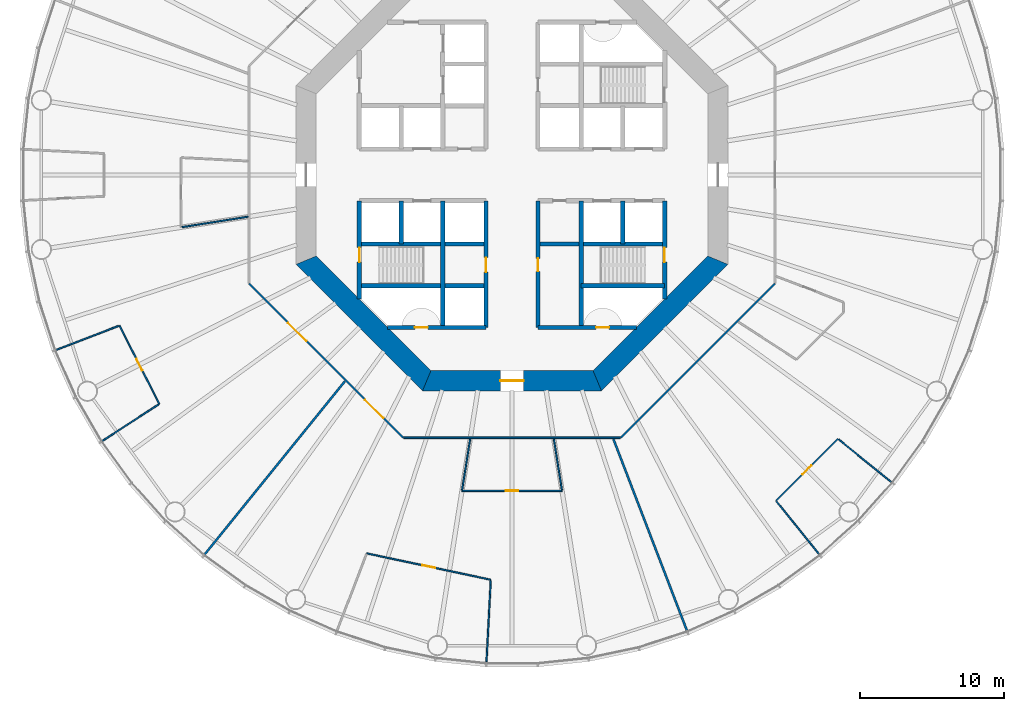
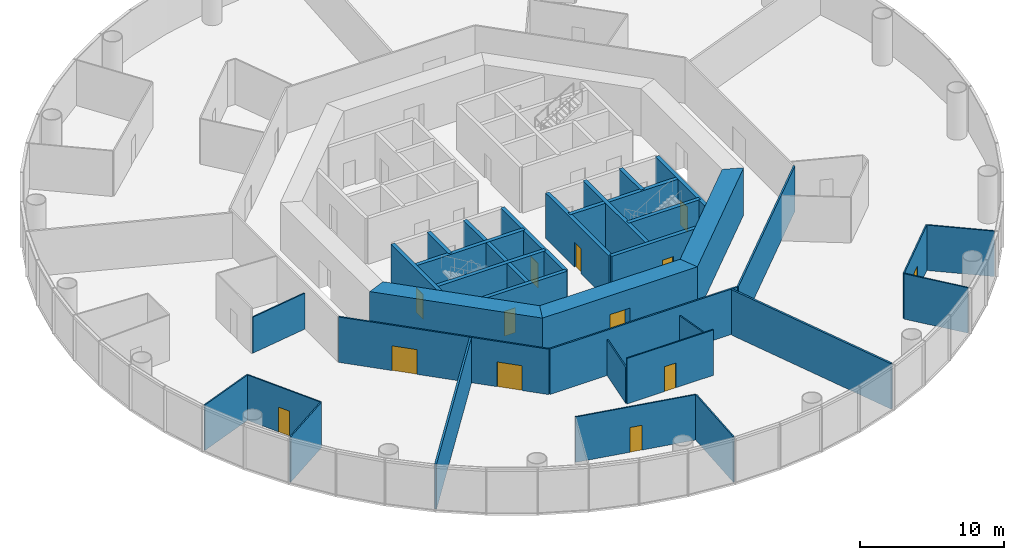
# One storey, part 3 of 13: 34 walls, 13 doors, 13 openings.
"""IFC4 building model written with IfcOpenShell, lengths in metres."""

from ifc_helpers import new_model, si_unit, direction, frame, frame_2d, origin, place, context, subcontext, project, spatial, polyline, rectangle, outline, extrude, material, layer, layer_set, type_object, element, fill, save


model = new_model("IFC4")

# Units and contexts
model_context = context("Model", 3, precision=1e-05, world=origin(), true_north=direction((0.0, 1.0)))
body_context = subcontext(model_context, "Body", "Model", "MODEL_VIEW")
ifc_project = project(units=[si_unit("LENGTHUNIT", "METRE"), si_unit("AREAUNIT", "SQUARE_METRE"), si_unit("VOLUMEUNIT", "CUBIC_METRE"), si_unit("PLANEANGLEUNIT", "RADIAN"), si_unit("MASSUNIT", "GRAM", prefix="KILO")], contexts=[model_context])

# Site, building, storey
site_placement = place(None, origin())
site = spatial("IfcSite", under=ifc_project, at=site_placement, CompositionType="ELEMENT")
building_placement = place(site_placement, origin())
building = spatial("IfcBuilding", under=site, at=building_placement, Name="Entoto Ring Tower", CompositionType="ELEMENT")
storey_placement = place(building_placement, frame((0.0, 0.0, 62.0)))
storey = spatial("IfcBuildingStorey", under=building, at=storey_placement, Name="L13", CompositionType="ELEMENT", Elevation=62.0)

# Wall, opening, door
ifc_material_1 = material(Name="Concrete C40/50", Category="concrete")
ifc_layer_1 = layer(ifc_material_1, 0.300048828125)
ifc_layer_set_1 = layer_set([ifc_layer_1], Name="Concrete C40/50")
wall_type_1 = type_object("IfcWallType", Name="Core enclosure wall 300 mm reinforced concrete", PredefinedType="SOLIDWALL", material=ifc_layer_set_1)
wall_1_placement = place(storey_placement, frame((100.60009765625, 71.36669921875, 0.0), z_axis=(0.0, 0.0, 1.0), x_axis=(0.0, 1.0, 0.0)))
wall_1 = element("IfcWall", 1, at=wall_1_placement, inside=storey, type_object=wall_type_1, Name="wall-L13-001", PredefinedType="SOLIDWALL", context=body_context, shape_type="SweptSolid", body=[
    extrude(rectangle(XDim=6.833251953125, YDim=0.300048828125, at=frame_2d((3.41650390625, 0.0))), origin(), (0.0, 0.0, 1.0), 3.85009765625),
])
opening_1_placement = place(wall_1_placement, frame((2.583251953125, 0.0, 0.0)))
opening_1 = element("IfcOpeningElement", 2, at=opening_1_placement, cuts=wall_1, Name="Opening K-59", PredefinedType="OPENING", context=body_context, shape_type="SweptSolid", body=[
    extrude(rectangle(XDim=1.0, YDim=2.10009765625, at=frame_2d((0.5, 1.050048828125))), frame((0.0, 0.16015625, 0.0), z_axis=(0.0, -1.0, 0.0), x_axis=(1.0, 0.0, 0.0)), (0.0, 0.0, 1.0), 0.320068359375),
])
ifc_material_2 = material(Name="Steel door leaf, fire rated", Category="steel")
ifc_layer_2 = layer(ifc_material_2, 0.050048828125)
ifc_layer_set_2 = layer_set([ifc_layer_2], Name="Steel door leaf, fire rated")
door_type_1 = type_object("IfcDoorType", Name="Fire door FD60 1000 x 2100 single leaf", OperationType="NOTDEFINED", PredefinedType="DOOR", material=ifc_layer_set_2)
door_1_placement = place(opening_1_placement, origin())
door_1 = element("IfcDoor", 3, at=door_1_placement, inside=storey, type_object=door_type_1, Name="Door K-59", OperationType="SINGLE_SWING_RIGHT", OverallHeight=2.10009765625, OverallWidth=1.0, PredefinedType="DOOR", context=body_context, shape_type="SweptSolid", body=[
    extrude(rectangle(XDim=1.0, YDim=2.10009765625, at=frame_2d((0.5, 1.050048828125))), frame((0.0, 0.02490234375, 0.0), z_axis=(0.0, -1.0, 0.0), x_axis=(1.0, 0.0, 0.0)), (0.0, 0.0, 1.0), 0.050048828125),
])
fill(opening_1, door_1)

# Walls
wall_2_placement = place(storey_placement, frame((97.699951171875, 75.199951171875, 0.0), z_axis=(0.0, 0.0, 1.0), x_axis=(0.0, 1.0, 0.0)))
element("IfcWall", 4, at=wall_2_placement, inside=storey, type_object=wall_type_1, Name="wall-L13-003", PredefinedType="SOLIDWALL", context=body_context, shape_type="SweptSolid", body=[
    extrude(rectangle(XDim=3.0, YDim=0.300048828125, at=frame_2d((1.5, 0.0))), origin(), (0.0, 0.0, 1.0), 3.85009765625),
])
wall_3_placement = place(storey_placement, frame((94.800048828125, 69.39990234375, 0.0), z_axis=(0.0, 0.0, 1.0), x_axis=(0.0, 1.0, 0.0)))
element("IfcWall", 5, at=wall_3_placement, inside=storey, type_object=wall_type_1, Name="wall-L13-005", PredefinedType="SOLIDWALL", context=body_context, shape_type="SweptSolid", body=[
    extrude(rectangle(XDim=8.800048828125, YDim=0.300048828125, at=frame_2d((4.39990234375, 0.0))), origin(), (0.0, 0.0, 1.0), 3.85009765625),
])

# Wall, opening, door
wall_4_placement = place(storey_placement, frame((91.800048828125, 69.39990234375, 0.0), z_axis=(0.0, 0.0, 1.0), x_axis=(0.0, 1.0, 0.0)))
wall_4 = element("IfcWall", 6, at=wall_4_placement, inside=storey, type_object=wall_type_1, Name="wall-L13-007", PredefinedType="SOLIDWALL", context=body_context, shape_type="SweptSolid", body=[
    extrude(rectangle(XDim=8.800048828125, YDim=0.300048828125, at=frame_2d((4.39990234375, 0.0))), origin(), (0.0, 0.0, 1.0), 3.85009765625),
])
opening_2_placement = place(wall_4_placement, frame((3.89990234375, 0.0, 0.0)))
opening_2 = element("IfcOpeningElement", 7, at=opening_2_placement, cuts=wall_4, Name="Opening K-12", PredefinedType="OPENING", context=body_context, shape_type="SweptSolid", body=[
    extrude(rectangle(XDim=0.89990234375, YDim=2.10009765625, at=frame_2d((0.449951171875, 1.050048828125))), frame((0.0, 0.16015625, 0.0), z_axis=(0.0, -1.0, 0.0), x_axis=(1.0, 0.0, 0.0)), (0.0, 0.0, 1.0), 0.320068359375),
])
ifc_material_3 = material(Name="Steel door leaf, fire rated", Category="steel")
ifc_layer_3 = layer(ifc_material_3, 0.050048828125)
ifc_layer_set_3 = layer_set([ifc_layer_3], Name="Steel door leaf, fire rated")
door_type_2 = type_object("IfcDoorType", Name="Core door 900 x 2100 single leaf", OperationType="NOTDEFINED", PredefinedType="DOOR", material=ifc_layer_set_3)
door_2_placement = place(opening_2_placement, frame((0.89990234375, 0.0, 0.0), z_axis=(0.0, 0.0, 1.0), x_axis=(-1.0, 0.0, 0.0)))
door_2 = element("IfcDoor", 8, at=door_2_placement, inside=storey, type_object=door_type_2, Name="Door K-12", OperationType="SINGLE_SWING_LEFT", OverallHeight=2.10009765625, OverallWidth=0.89990234375, PredefinedType="DOOR", context=body_context, shape_type="SweptSolid", body=[
    extrude(rectangle(XDim=0.89990234375, YDim=2.10009765625, at=frame_2d((0.449951171875, 1.050048828125))), frame((0.0, 0.02490234375, 0.0), z_axis=(0.0, -1.0, 0.0), x_axis=(1.0, 0.0, 0.0)), (0.0, 0.0, 1.0), 0.050048828125),
])
fill(opening_2, door_2)

wall_5_placement = place(storey_placement, frame((88.199951171875, 69.39990234375, 0.0), z_axis=(0.0, 0.0, 1.0), x_axis=(0.0, 1.0, 0.0)))
wall_5 = element("IfcWall", 9, at=wall_5_placement, inside=storey, type_object=wall_type_1, Name="wall-L13-009", PredefinedType="SOLIDWALL", context=body_context, shape_type="SweptSolid", body=[
    extrude(rectangle(XDim=8.800048828125, YDim=0.300048828125, at=frame_2d((4.39990234375, 0.0))), origin(), (0.0, 0.0, 1.0), 3.85009765625),
])
opening_3_placement = place(wall_5_placement, frame((3.85009765625, 0.0, 0.0)))
opening_3 = element("IfcOpeningElement", 10, at=opening_3_placement, cuts=wall_5, Name="Opening K-13", PredefinedType="OPENING", context=body_context, shape_type="SweptSolid", body=[
    extrude(rectangle(XDim=1.0, YDim=2.10009765625, at=frame_2d((0.5, 1.050048828125))), frame((0.0, 0.16015625, 0.0), z_axis=(0.0, -1.0, 0.0), x_axis=(1.0, 0.0, 0.0)), (0.0, 0.0, 1.0), 0.320068359375),
])
ifc_material_4 = material(Name="Steel door leaf, fire rated", Category="steel")
ifc_layer_4 = layer(ifc_material_4, 0.050048828125)
ifc_layer_set_4 = layer_set([ifc_layer_4], Name="Steel door leaf, fire rated")
door_type_3 = type_object("IfcDoorType", Name="Accessible door 1000 x 2100 single leaf", OperationType="NOTDEFINED", PredefinedType="DOOR", material=ifc_layer_set_4)
door_3_placement = place(opening_3_placement, origin())
door_3 = element("IfcDoor", 11, at=door_3_placement, inside=storey, type_object=door_type_3, Name="Door K-13", OperationType="SINGLE_SWING_LEFT", OverallHeight=2.10009765625, OverallWidth=1.0, PredefinedType="DOOR", context=body_context, shape_type="SweptSolid", body=[
    extrude(rectangle(XDim=1.0, YDim=2.10009765625, at=frame_2d((0.5, 1.050048828125))), frame((0.0, 0.02490234375, 0.0), z_axis=(0.0, -1.0, 0.0), x_axis=(1.0, 0.0, 0.0)), (0.0, 0.0, 1.0), 0.050048828125),
])
fill(opening_3, door_3)

# Walls
wall_6_placement = place(storey_placement, frame((85.199951171875, 69.39990234375, 0.0), z_axis=(0.0, 0.0, 1.0), x_axis=(0.0, 1.0, 0.0)))
element("IfcWall", 12, at=wall_6_placement, inside=storey, type_object=wall_type_1, Name="wall-L13-011", PredefinedType="SOLIDWALL", context=body_context, shape_type="SweptSolid", body=[
    extrude(rectangle(XDim=8.800048828125, YDim=0.300048828125, at=frame_2d((4.39990234375, 0.0))), origin(), (0.0, 0.0, 1.0), 3.85009765625),
])
wall_7_placement = place(storey_placement, frame((82.300048828125, 75.199951171875, 0.0), z_axis=(0.0, 0.0, 1.0), x_axis=(0.0, 1.0, 0.0)))
element("IfcWall", 13, at=wall_7_placement, inside=storey, type_object=wall_type_1, Name="wall-L13-013", PredefinedType="SOLIDWALL", context=body_context, shape_type="SweptSolid", body=[
    extrude(rectangle(XDim=3.0, YDim=0.300048828125, at=frame_2d((1.5, 0.0))), origin(), (0.0, 0.0, 1.0), 3.85009765625),
])

# Wall, opening, door
wall_8_placement = place(storey_placement, frame((79.39990234375, 71.36669921875, 0.0), z_axis=(0.0, 0.0, 1.0), x_axis=(0.0, 1.0, 0.0)))
wall_8 = element("IfcWall", 14, at=wall_8_placement, inside=storey, type_object=wall_type_1, Name="wall-L13-015", PredefinedType="SOLIDWALL", context=body_context, shape_type="SweptSolid", body=[
    extrude(rectangle(XDim=6.833251953125, YDim=0.300048828125, at=frame_2d((3.41650390625, 0.0))), origin(), (0.0, 0.0, 1.0), 3.85009765625),
])
opening_4_placement = place(wall_8_placement, frame((2.583251953125, 0.0, 0.0)))
opening_4 = element("IfcOpeningElement", 15, at=opening_4_placement, cuts=wall_8, Name="Opening K-17", PredefinedType="OPENING", context=body_context, shape_type="SweptSolid", body=[
    extrude(rectangle(XDim=1.0, YDim=2.10009765625, at=frame_2d((0.5, 1.050048828125))), frame((0.0, 0.16015625, 0.0), z_axis=(0.0, -1.0, 0.0), x_axis=(1.0, 0.0, 0.0)), (0.0, 0.0, 1.0), 0.320068359375),
])
door_4_placement = place(opening_4_placement, frame((1.0, 0.0, 0.0), z_axis=(0.0, 0.0, 1.0), x_axis=(-1.0, 0.0, 0.0)))
door_4 = element("IfcDoor", 16, at=door_4_placement, inside=storey, type_object=door_type_1, Name="Door K-17", OperationType="SINGLE_SWING_LEFT", OverallHeight=2.10009765625, OverallWidth=1.0, PredefinedType="DOOR", context=body_context, shape_type="SweptSolid", body=[
    extrude(rectangle(XDim=1.0, YDim=2.10009765625, at=frame_2d((0.5, 1.050048828125))), frame((0.0, 0.02490234375, 0.0), z_axis=(0.0, -1.0, 0.0), x_axis=(1.0, 0.0, 0.0)), (0.0, 0.0, 1.0), 0.050048828125),
])
fill(opening_4, door_4)

wall_9_placement = place(storey_placement, frame((81.36669921875, 69.39990234375, 0.0), z_axis=(0.0, 0.0, 1.0), x_axis=(1.0, 0.0, 0.0)))
wall_9 = element("IfcWall", 17, at=wall_9_placement, inside=storey, type_object=wall_type_1, Name="wall-L13-017", PredefinedType="SOLIDWALL", context=body_context, shape_type="SweptSolid", body=[
    extrude(rectangle(XDim=6.833251953125, YDim=0.300048828125, at=frame_2d((3.41650390625, 0.0))), origin(), (0.0, 0.0, 1.0), 3.85009765625),
])
opening_5_placement = place(wall_9_placement, frame((1.88330078125, 0.0, 0.0)))
opening_5 = element("IfcOpeningElement", 18, at=opening_5_placement, cuts=wall_9, Name="Opening K-20", PredefinedType="OPENING", context=body_context, shape_type="SweptSolid", body=[
    extrude(rectangle(XDim=0.89990234375, YDim=2.10009765625, at=frame_2d((0.449951171875, 1.050048828125))), frame((0.0, 0.16015625, 0.0), z_axis=(0.0, -1.0, 0.0), x_axis=(1.0, 0.0, 0.0)), (0.0, 0.0, 1.0), 0.320068359375),
])
ifc_material_5 = material(Name="Steel door leaf, fire rated", Category="steel")
ifc_layer_5 = layer(ifc_material_5, 0.050048828125)
ifc_layer_set_5 = layer_set([ifc_layer_5], Name="Steel door leaf, fire rated")
door_type_4 = type_object("IfcDoorType", Name="Riser door FD60 900 x 2100 single leaf", OperationType="NOTDEFINED", PredefinedType="DOOR", material=ifc_layer_set_5)
door_5_placement = place(opening_5_placement, origin())
door_5 = element("IfcDoor", 19, at=door_5_placement, inside=storey, type_object=door_type_4, Name="Door K-20", OperationType="SINGLE_SWING_RIGHT", OverallHeight=2.10009765625, OverallWidth=0.89990234375, PredefinedType="DOOR", context=body_context, shape_type="SweptSolid", body=[
    extrude(rectangle(XDim=0.89990234375, YDim=2.10009765625, at=frame_2d((0.449951171875, 1.050048828125))), frame((0.0, 0.02490234375, 0.0), z_axis=(0.0, -1.0, 0.0), x_axis=(1.0, 0.0, 0.0)), (0.0, 0.0, 1.0), 0.050048828125),
])
fill(opening_5, door_5)

wall_10_placement = place(storey_placement, frame((91.800048828125, 69.39990234375, 0.0), z_axis=(0.0, 0.0, 1.0), x_axis=(1.0, 0.0, 0.0)))
wall_10 = element("IfcWall", 20, at=wall_10_placement, inside=storey, type_object=wall_type_1, Name="wall-L13-018", PredefinedType="SOLIDWALL", context=body_context, shape_type="SweptSolid", body=[
    extrude(rectangle(XDim=6.833251953125, YDim=0.300048828125, at=frame_2d((3.41650390625, 0.0))), origin(), (0.0, 0.0, 1.0), 3.85009765625),
])
opening_6_placement = place(wall_10_placement, frame((4.050048828125, 0.0, 0.0)))
opening_6 = element("IfcOpeningElement", 21, at=opening_6_placement, cuts=wall_10, Name="Opening K-66", PredefinedType="OPENING", context=body_context, shape_type="SweptSolid", body=[
    extrude(rectangle(XDim=0.89990234375, YDim=2.10009765625, at=frame_2d((0.449951171875, 1.050048828125))), frame((0.0, 0.16015625, 0.0), z_axis=(0.0, -1.0, 0.0), x_axis=(1.0, 0.0, 0.0)), (0.0, 0.0, 1.0), 0.320068359375),
])
door_6_placement = place(opening_6_placement, origin())
door_6 = element("IfcDoor", 22, at=door_6_placement, inside=storey, type_object=door_type_4, Name="Door K-66", OperationType="SINGLE_SWING_LEFT", OverallHeight=2.10009765625, OverallWidth=0.89990234375, PredefinedType="DOOR", context=body_context, shape_type="SweptSolid", body=[
    extrude(rectangle(XDim=0.89990234375, YDim=2.10009765625, at=frame_2d((0.449951171875, 1.050048828125))), frame((0.0, 0.02490234375, 0.0), z_axis=(0.0, -1.0, 0.0), x_axis=(1.0, 0.0, 0.0)), (0.0, 0.0, 1.0), 0.050048828125),
])
fill(opening_6, door_6)

# Walls
wall_11_placement = place(storey_placement, frame((79.39990234375, 72.300048828125, 0.0), z_axis=(0.0, 0.0, 1.0), x_axis=(1.0, 0.0, 0.0)))
element("IfcWall", 23, at=wall_11_placement, inside=storey, type_object=wall_type_1, Name="wall-L13-019", PredefinedType="SOLIDWALL", context=body_context, shape_type="SweptSolid", body=[
    extrude(rectangle(XDim=8.800048828125, YDim=0.300048828125, at=frame_2d((4.39990234375, 0.0))), origin(), (0.0, 0.0, 1.0), 3.85009765625),
])
wall_12_placement = place(storey_placement, frame((94.800048828125, 72.300048828125, 0.0), z_axis=(0.0, 0.0, 1.0), x_axis=(1.0, 0.0, 0.0)))
element("IfcWall", 24, at=wall_12_placement, inside=storey, type_object=wall_type_1, Name="wall-L13-020", PredefinedType="SOLIDWALL", context=body_context, shape_type="SweptSolid", body=[
    extrude(rectangle(XDim=5.800048828125, YDim=0.300048828125, at=frame_2d((2.89990234375, 0.0))), origin(), (0.0, 0.0, 1.0), 3.85009765625),
])
for number, where, z_axis, x_axis, name in (
    (25, (79.39990234375, 75.199951171875, 0.0), (0.0, 0.0, 1.0), (1.0, 0.0, 0.0), "wall-L13-021"),
    (26, (91.800048828125, 75.199951171875, 0.0), (0.0, 0.0, 1.0), (1.0, 0.0, 0.0), "wall-L13-022"),
):
    element("IfcWall", number, at=place(storey_placement, frame(where, z_axis=z_axis, x_axis=x_axis)), inside=storey, type_object=wall_type_1, Name=name, PredefinedType="SOLIDWALL", context=body_context, shape_type="SweptSolid", body=[
        extrude(rectangle(XDim=8.800048828125, YDim=0.300048828125, at=frame_2d((4.39990234375, 0.0))), origin(), (0.0, 0.0, 1.0), 3.85009765625),
    ])
ifc_material_6 = material(Name="Concrete C60/75", Category="concrete")
ifc_layer_6 = layer(ifc_material_6, 1.39990234375)
ifc_layer_set_6 = layer_set([ifc_layer_6], Name="Concrete C60/75")
wall_type_2 = type_object("IfcWallType", Name="Core shear wall 1400 mm reinforced concrete C60/75", PredefinedType="SHEAR", material=ifc_layer_set_6)
wall_13_placement = place(storey_placement, frame((75.699951171875, 74.07666015625, 0.0), z_axis=(0.0, 0.0, 1.0), x_axis=(0.707106781187, -0.707106781187, 0.0)))
element("IfcWall", 27, at=wall_13_placement, inside=storey, type_object=wall_type_2, Name="wall-L13-core-5", PredefinedType="SHEAR", context=body_context, shape_type="SweptSolid", body=[
    extrude(outline(polyline([(-0.2900390625, -0.699951171875), (12.136474609375, -0.699951171875), (11.556396484375, 0.699951171875), (0.2900390625, 0.699951171875), (-0.2900390625, -0.699951171875)])), origin(), (0.0, 0.0, 1.0), 4.0),
])

# Wall, opening, door
wall_14_placement = place(storey_placement, frame((84.07666015625, 65.699951171875, 0.0), z_axis=(0.0, 0.0, 1.0), x_axis=(1.0, 0.0, 0.0)))
wall_14 = element("IfcWall", 28, at=wall_14_placement, inside=storey, type_object=wall_type_2, Name="wall-L13-core-6", PredefinedType="SHEAR", context=body_context, shape_type="SweptSolid", body=[
    extrude(outline(polyline([(-0.2900390625, -0.699951171875), (12.13671875, -0.699951171875), (11.556640625, 0.699951171875), (0.2900390625, 0.699951171875), (-0.2900390625, -0.699951171875)])), origin(), (0.0, 0.0, 1.0), 4.0),
])
opening_7_placement = place(wall_14_placement, frame((5.123291015625, 0.0, 0.0)))
opening_7 = element("IfcOpeningElement", 29, at=opening_7_placement, cuts=wall_14, Name="Opening K-04", PredefinedType="OPENING", context=body_context, shape_type="SweptSolid", body=[
    extrude(rectangle(XDim=1.60009765625, YDim=2.39990234375, at=frame_2d((0.800048828125, 1.199951171875))), frame((0.0, 0.7099609375, 0.0), z_axis=(0.0, -1.0, 0.0), x_axis=(1.0, 0.0, 0.0)), (0.0, 0.0, 1.0), 1.419921875),
])
ifc_material_7 = material(Name="Steel door leaf, fire rated", Category="steel")
ifc_layer_7 = layer(ifc_material_7, 0.050048828125)
ifc_layer_set_7 = layer_set([ifc_layer_7], Name="Steel door leaf, fire rated")
door_type_5 = type_object("IfcDoorType", Name="Entrance door FD60 1600 x 2400 double leaf", OperationType="DOUBLE_DOOR_SINGLE_SWING", PredefinedType="DOOR", material=ifc_layer_set_7)
door_7_placement = place(opening_7_placement, origin())
door_7 = element("IfcDoor", 30, at=door_7_placement, inside=storey, type_object=door_type_5, Name="Entrance door K-04", OperationType="DOUBLE_DOOR_SINGLE_SWING", OverallHeight=2.39990234375, OverallWidth=1.60009765625, PredefinedType="DOOR", context=body_context, shape_type="SweptSolid", body=[
    extrude(rectangle(XDim=1.60009765625, YDim=2.39990234375, at=frame_2d((0.800048828125, 1.199951171875))), frame((0.0, 0.02490234375, 0.0), z_axis=(0.0, -1.0, 0.0), x_axis=(1.0, 0.0, 0.0)), (0.0, 0.0, 1.0), 0.050048828125),
])
fill(opening_7, door_7)

# Wall
wall_15_placement = place(storey_placement, frame((95.92333984375, 65.699951171875, 0.0), z_axis=(0.0, 0.0, 1.0), x_axis=(0.707106781187, 0.707106781187, 0.0)))
element("IfcWall", 31, at=wall_15_placement, inside=storey, type_object=wall_type_2, Name="wall-L13-core-7", PredefinedType="SHEAR", context=body_context, shape_type="SweptSolid", body=[
    extrude(outline(polyline([(-0.2900390625, -0.699951171875), (12.136474609375, -0.699951171875), (11.556396484375, 0.699951171875), (0.2900390625, 0.699951171875), (-0.2900390625, -0.699951171875)])), origin(), (0.0, 0.0, 1.0), 4.0),
])

# Wall, openings, doors
ifc_material_8 = material(Name="Fire-resisting plasterboard on steel studs", Category="steel")
ifc_layer_8 = layer(ifc_material_8, 0.125)
ifc_layer_set_8 = layer_set([ifc_layer_8], Name="Fire-resisting plasterboard on steel studs")
wall_type_3 = type_object("IfcWallType", Name="Corridor wall 125 mm one-hour plasterboard on steel studs", PredefinedType="PARTITIONING", material=ifc_layer_set_8)
wall_16_placement = place(storey_placement, frame((82.435302734375, 61.737548828125, 0.0), z_axis=(0.0, 0.0, 1.0), x_axis=(-0.707106781187, 0.707106781187, 0.0)))
wall_16 = element("IfcWall", 32, at=wall_16_placement, inside=storey, type_object=wall_type_3, Name="partition-L13-002", PredefinedType="PARTITIONING", context=body_context, shape_type="SweptSolid", body=[
    extrude(rectangle(XDim=15.12890625, YDim=0.125, at=frame_2d((7.564453125, 0.0))), origin(), (0.0, 0.0, 1.0), 3.85009765625),
])
opening_8_placement = place(wall_16_placement, frame((9.487060546875, 0.0, 0.0)))
opening_8 = element("IfcOpeningElement", 33, at=opening_8_placement, cuts=wall_16, Name="Opening A05-D01", PredefinedType="OPENING", context=body_context, shape_type="SweptSolid", body=[
    extrude(rectangle(XDim=1.800048828125, YDim=2.10009765625, at=frame_2d((0.89990234375, 1.050048828125))), frame((0.0, 0.072509765625, 0.0), z_axis=(0.0, -1.0, 0.0), x_axis=(1.0, 0.0, 0.0)), (0.0, 0.0, 1.0), 0.14501953125),
])
opening_9_placement = place(wall_16_placement, frame((1.922607421875, 0.0, 0.0)))
opening_9 = element("IfcOpeningElement", 34, at=opening_9_placement, cuts=wall_16, Name="Opening A05-D05", PredefinedType="OPENING", context=body_context, shape_type="SweptSolid", body=[
    extrude(rectangle(XDim=1.800048828125, YDim=2.10009765625, at=frame_2d((0.89990234375, 1.050048828125))), frame((0.0, 0.072509765625, 0.0), z_axis=(0.0, -1.0, 0.0), x_axis=(1.0, 0.0, 0.0)), (0.0, 0.0, 1.0), 0.14501953125),
])
ifc_material_9 = material(Name="Fire-resisting timber door set", Category="wood")
door_type_6 = type_object("IfcDoorType", Name="Door 1800 x 2100 double leaf FD30S fire door", OperationType="DOUBLE_DOOR_SINGLE_SWING", PredefinedType="DOOR", material=ifc_material_9)
door_8_placement = place(opening_8_placement, origin())
door_8 = element("IfcDoor", 35, at=door_8_placement, inside=storey, type_object=door_type_6, Name="Door A05-D01", OperationType="DOUBLE_DOOR_SINGLE_SWING", OverallHeight=2.10009765625, OverallWidth=1.800048828125, PredefinedType="DOOR", context=body_context, shape_type="SweptSolid", body=[
    extrude(rectangle(XDim=1.800048828125, YDim=2.10009765625, at=frame_2d((0.89990234375, 1.050048828125))), frame((0.0, 0.02490234375, 0.0), z_axis=(0.0, -1.0, 0.0), x_axis=(1.0, 0.0, 0.0)), (0.0, 0.0, 1.0), 0.050048828125),
])
fill(opening_8, door_8)
door_9_placement = place(opening_9_placement, origin())
door_9 = element("IfcDoor", 36, at=door_9_placement, inside=storey, type_object=door_type_6, Name="Door A05-D05", OperationType="DOUBLE_DOOR_SINGLE_SWING", OverallHeight=2.10009765625, OverallWidth=1.800048828125, PredefinedType="DOOR", context=body_context, shape_type="SweptSolid", body=[
    extrude(rectangle(XDim=1.800048828125, YDim=2.10009765625, at=frame_2d((0.89990234375, 1.050048828125))), frame((0.0, 0.02490234375, 0.0), z_axis=(0.0, -1.0, 0.0), x_axis=(1.0, 0.0, 0.0)), (0.0, 0.0, 1.0), 0.050048828125),
])
fill(opening_9, door_9)

# Walls
wall_17_placement = place(storey_placement, frame((97.564697265625, 61.737548828125, 0.0), z_axis=(0.0, 0.0, 1.0), x_axis=(0.707106781187, 0.707106781187, 0.0)))
element("IfcWall", 37, at=wall_17_placement, inside=storey, type_object=wall_type_3, Name="partition-L13-003", PredefinedType="PARTITIONING", context=body_context, shape_type="SweptSolid", body=[
    extrude(rectangle(XDim=15.12890625, YDim=0.125, at=frame_2d((7.564453125, 0.0))), origin(), (0.0, 0.0, 1.0), 3.85009765625),
])
wall_18_placement = place(storey_placement, frame((82.4794921875, 61.737548828125, 0.0), z_axis=(0.0, 0.0, 1.0), x_axis=(1.0, 0.0, 0.0)))
element("IfcWall", 38, at=wall_18_placement, inside=storey, type_object=wall_type_3, Name="partition-L13-006", PredefinedType="PARTITIONING", context=body_context, shape_type="SweptSolid", body=[
    extrude(rectangle(XDim=15.041015625, YDim=0.125, at=frame_2d((7.5205078125, 0.0))), origin(), (0.0, 0.0, 1.0), 3.85009765625),
])

# Wall, opening, door
ifc_material_10 = material(Name="Plasterboard on steel studs", Category="steel")
ifc_layer_9 = layer(ifc_material_10, 0.10009765625)
ifc_layer_set_9 = layer_set([ifc_layer_9], Name="Plasterboard on steel studs")
wall_type_4 = type_object("IfcWallType", Name="Partition 100 mm plasterboard on steel studs", PredefinedType="PARTITIONING", material=ifc_layer_set_9)
wall_19_placement = place(storey_placement, frame((88.526123046875, 51.878662109375, 0.0), z_axis=(0.0, 0.0, 1.0), x_axis=(-0.978146594853, 0.20791642306, 0.0)))
wall_19 = element("IfcWall", 39, at=wall_19_placement, inside=storey, type_object=wall_type_4, Name="partition-L13-014", PredefinedType="PARTITIONING", context=body_context, shape_type="SweptSolid", body=[
    extrude(rectangle(XDim=8.810302734375, YDim=0.10009765625, at=frame_2d((4.4052734375, 0.0))), origin(), (0.0, 0.0, 1.0), 3.85009765625),
])
opening_10_placement = place(wall_19_placement, frame((3.955078125, 0.0, 0.0)))
opening_10 = element("IfcOpeningElement", 40, at=opening_10_placement, cuts=wall_19, Name="Opening A05-D07", PredefinedType="OPENING", context=body_context, shape_type="SweptSolid", body=[
    extrude(rectangle(XDim=0.89990234375, YDim=2.10009765625, at=frame_2d((0.449951171875, 1.050048828125))), frame((0.0, 0.06005859375, 0.0), z_axis=(0.0, -1.0, 0.0), x_axis=(1.0, 0.0, 0.0)), (0.0, 0.0, 1.0), 0.1201171875),
])
ifc_material_11 = material(Name="Veneered timber door leaf in timber frame", Category="wood")
door_type_7 = type_object("IfcDoorType", Name="Door 900 x 2100 single leaf timber veneer", OperationType="NOTDEFINED", PredefinedType="DOOR", material=ifc_material_11)
door_10_placement = place(opening_10_placement, origin())
door_10 = element("IfcDoor", 41, at=door_10_placement, inside=storey, type_object=door_type_7, Name="Door A05-D07", OperationType="SINGLE_SWING_RIGHT", OverallHeight=2.10009765625, OverallWidth=0.89990234375, PredefinedType="DOOR", context=body_context, shape_type="SweptSolid", body=[
    extrude(rectangle(XDim=0.89990234375, YDim=2.10009765625, at=frame_2d((0.449951171875, 1.050048828125))), frame((0.0, 0.02490234375, 0.0), z_axis=(0.0, -1.0, 0.0), x_axis=(1.0, 0.0, 0.0)), (0.0, 0.0, 1.0), 0.050048828125),
])
fill(opening_10, door_10)

wall_20_placement = place(storey_placement, frame((86.524658203125, 58.0576171875, 0.0), z_axis=(0.0, 0.0, 1.0), x_axis=(1.0, 0.0, 0.0)))
wall_20 = element("IfcWall", 42, at=wall_20_placement, inside=storey, type_object=wall_type_4, Name="partition-L13-018", PredefinedType="PARTITIONING", context=body_context, shape_type="SweptSolid", body=[
    extrude(rectangle(XDim=6.95068359375, YDim=0.10009765625, at=frame_2d((3.475341796875, 0.0))), origin(), (0.0, 0.0, 1.0), 3.85009765625),
])
opening_11_placement = place(wall_20_placement, frame((3.025390625, 0.0, 0.0)))
opening_11 = element("IfcOpeningElement", 43, at=opening_11_placement, cuts=wall_20, Name="Opening A05-D06", PredefinedType="OPENING", context=body_context, shape_type="SweptSolid", body=[
    extrude(rectangle(XDim=0.89990234375, YDim=2.10009765625, at=frame_2d((0.449951171875, 1.050048828125))), frame((0.0, 0.06005859375, 0.0), z_axis=(0.0, -1.0, 0.0), x_axis=(1.0, 0.0, 0.0)), (0.0, 0.0, 1.0), 0.1201171875),
])
door_11_placement = place(opening_11_placement, origin())
door_11 = element("IfcDoor", 44, at=door_11_placement, inside=storey, type_object=door_type_7, Name="Door A05-D06", OperationType="SINGLE_SWING_RIGHT", OverallHeight=2.10009765625, OverallWidth=0.89990234375, PredefinedType="DOOR", context=body_context, shape_type="SweptSolid", body=[
    extrude(rectangle(XDim=0.89990234375, YDim=2.10009765625, at=frame_2d((0.449951171875, 1.050048828125))), frame((0.0, 0.02490234375, 0.0), z_axis=(0.0, -1.0, 0.0), x_axis=(1.0, 0.0, 0.0)), (0.0, 0.0, 1.0), 0.050048828125),
])
fill(opening_11, door_11)

wall_21_placement = place(storey_placement, frame((65.50244140625, 64.091064453125, 0.0), z_axis=(0.0, 0.0, 1.0), x_axis=(-0.454013220011, 0.890994947267, 0.0)))
wall_21 = element("IfcWall", 45, at=wall_21_placement, inside=storey, type_object=wall_type_4, Name="partition-L13-019", PredefinedType="PARTITIONING", context=body_context, shape_type="SweptSolid", body=[
    extrude(rectangle(XDim=6.1064453125, YDim=0.10009765625, at=frame_2d((3.05322265625, 0.0))), origin(), (0.0, 0.0, 1.0), 3.85009765625),
])
opening_12_placement = place(wall_21_placement, frame((2.603271484375, 0.0, 0.0)))
opening_12 = element("IfcOpeningElement", 46, at=opening_12_placement, cuts=wall_21, Name="Opening A05-D04", PredefinedType="OPENING", context=body_context, shape_type="SweptSolid", body=[
    extrude(rectangle(XDim=0.89990234375, YDim=2.10009765625, at=frame_2d((0.449951171875, 1.050048828125))), frame((0.0, 0.06005859375, 0.0), z_axis=(0.0, -1.0, 0.0), x_axis=(1.0, 0.0, 0.0)), (0.0, 0.0, 1.0), 0.1201171875),
])
door_12_placement = place(opening_12_placement, origin())
door_12 = element("IfcDoor", 47, at=door_12_placement, inside=storey, type_object=door_type_7, Name="Door A05-D04", OperationType="SINGLE_SWING_RIGHT", OverallHeight=2.10009765625, OverallWidth=0.89990234375, PredefinedType="DOOR", context=body_context, shape_type="SweptSolid", body=[
    extrude(rectangle(XDim=0.89990234375, YDim=2.10009765625, at=frame_2d((0.449951171875, 1.050048828125))), frame((0.0, 0.02490234375, 0.0), z_axis=(0.0, -1.0, 0.0), x_axis=(1.0, 0.0, 0.0)), (0.0, 0.0, 1.0), 0.050048828125),
])
fill(opening_12, door_12)

wall_22_placement = place(storey_placement, frame((108.33837890625, 57.35400390625, 0.0), z_axis=(0.0, 0.0, 1.0), x_axis=(0.707106781187, 0.707106781187, 0.0)))
wall_22 = element("IfcWall", 48, at=wall_22_placement, inside=storey, type_object=wall_type_4, Name="partition-L13-020", PredefinedType="PARTITIONING", context=body_context, shape_type="SweptSolid", body=[
    extrude(rectangle(XDim=6.091796875, YDim=0.10009765625, at=frame_2d((3.0458984375, 0.0))), origin(), (0.0, 0.0, 1.0), 3.85009765625),
])
opening_13_placement = place(wall_22_placement, frame((2.595947265625, 0.0, 0.0)))
opening_13 = element("IfcOpeningElement", 49, at=opening_13_placement, cuts=wall_22, Name="Opening A05-D10", PredefinedType="OPENING", context=body_context, shape_type="SweptSolid", body=[
    extrude(rectangle(XDim=0.89990234375, YDim=2.10009765625, at=frame_2d((0.449951171875, 1.050048828125))), frame((0.0, 0.06005859375, 0.0), z_axis=(0.0, -1.0, 0.0), x_axis=(1.0, 0.0, 0.0)), (0.0, 0.0, 1.0), 0.1201171875),
])
door_13_placement = place(opening_13_placement, frame((0.89990234375, 0.0, 0.0), z_axis=(0.0, 0.0, 1.0), x_axis=(-1.0, 0.0, 0.0)))
door_13 = element("IfcDoor", 50, at=door_13_placement, inside=storey, type_object=door_type_7, Name="Door A05-D10", OperationType="SINGLE_SWING_LEFT", OverallHeight=2.10009765625, OverallWidth=0.89990234375, PredefinedType="DOOR", context=body_context, shape_type="SweptSolid", body=[
    extrude(rectangle(XDim=0.89990234375, YDim=2.10009765625, at=frame_2d((0.449951171875, 1.050048828125))), frame((0.0, 0.02490234375, 0.0), z_axis=(0.0, -1.0, 0.0), x_axis=(1.0, 0.0, 0.0)), (0.0, 0.0, 1.0), 0.050048828125),
])
fill(opening_13, door_13)

# Walls
wall_23_placement = place(storey_placement, frame((88.2236328125, 46.1064453125, 0.0), z_axis=(0.0, 0.0, 1.0), x_axis=(0.052357591588, 0.998628400659, 0.0)))
element("IfcWall", 51, at=wall_23_placement, inside=storey, type_object=wall_type_4, Name="partition-L13-026", PredefinedType="PARTITIONING", context=body_context, shape_type="SweptSolid", body=[
    extrude(rectangle(XDim=5.730712890625, YDim=0.10009765625, at=frame_2d((2.865234375, 0.0))), origin(), (0.0, 0.0, 1.0), 3.85009765625),
])
for number, where, z_axis, x_axis, name in (
    (52, (111.359130859375, 53.623779296875, 0.0), (0.0, 0.0, 1.0), (-0.629328325934, 0.777139535847, 0.0), "partition-L13-034"),
    (53, (116.376220703125, 58.640869140625, 0.0), (0.0, 0.0, 1.0), (-0.777139535847, 0.629328325934, 0.0), "partition-L13-035"),
):
    element("IfcWall", number, at=place(storey_placement, frame(where, z_axis=z_axis, x_axis=x_axis)), inside=storey, type_object=wall_type_4, Name=name, PredefinedType="PARTITIONING", context=body_context, shape_type="SweptSolid", body=[
        extrude(rectangle(XDim=4.750244140625, YDim=0.10009765625, at=frame_2d((2.375, 0.0))), origin(), (0.0, 0.0, 1.0), 3.85009765625),
    ])
for number, where, z_axis, x_axis, name in (
    (54, (58.314208984375, 67.8369140625, 0.0), (0.0, 0.0, 1.0), (0.933563228865, 0.358412747697, 0.0), "partition-L13-037"),
    (55, (61.535400390625, 61.514892578125, 0.0), (0.0, 0.0, 1.0), (0.838674744325, 0.5446326039, 0.0), "partition-L13-038"),
):
    element("IfcWall", number, at=place(storey_placement, frame(where, z_axis=z_axis, x_axis=x_axis)), inside=storey, type_object=wall_type_4, Name=name, PredefinedType="PARTITIONING", context=body_context, shape_type="SweptSolid", body=[
        extrude(rectangle(XDim=4.680419921875, YDim=0.10009765625, at=frame_2d((2.34033203125, 0.0))), origin(), (0.0, 0.0, 1.0), 3.85009765625),
    ])
ifc_material_12 = material(Name="Plasterboard on steel studs", Category="steel")
ifc_layer_10 = layer(ifc_material_12, 0.10009765625)
ifc_layer_set_10 = layer_set([ifc_layer_10], Name="Plasterboard on steel studs")
wall_type_5 = type_object("IfcWallType", Name="Partition 100 mm plasterboard on steel studs, 3050 mm high", PredefinedType="PARTITIONING", material=ifc_layer_set_10)
wall_24_placement = place(storey_placement, frame((67.0751953125, 76.369140625, 0.0), z_axis=(0.0, 0.0, 1.0), x_axis=(0.987688770103, 0.156431753211, 0.0)))
element("IfcWall", 56, at=wall_24_placement, inside=storey, type_object=wall_type_5, Name="partition-L13-036", PredefinedType="PARTITIONING", context=body_context, shape_type="SweptSolid", body=[
    extrude(rectangle(XDim=4.649169921875, YDim=0.10009765625, at=frame_2d((2.32470703125, 0.0))), origin(), (0.0, 0.0, 1.0), 3.050048828125),
])
for number, where, z_axis, x_axis, name in (
    (57, (86.53369140625, 58.115234375, 0.0), (0.0, 0.0, 1.0), (0.156478489952, 0.987681366728, 0.0), "partition-L13-043"),
    (58, (93.46630859375, 58.115234375, 0.0), (0.0, 0.0, 1.0), (-0.156478489952, 0.987681366728, 0.0), "partition-L13-044"),
):
    element("IfcWall", number, at=place(storey_placement, frame(where, z_axis=z_axis, x_axis=x_axis)), inside=storey, type_object=wall_type_5, Name=name, PredefinedType="PARTITIONING", context=body_context, shape_type="SweptSolid", body=[
        extrude(rectangle(XDim=3.59619140625, YDim=0.10009765625, at=frame_2d((1.798095703125, 0.0))), origin(), (0.0, 0.0, 1.0), 3.050048828125),
    ])
ifc_material_13 = material(Name="Fire-resisting acoustic plasterboard on steel studs", Category="steel")
ifc_layer_11 = layer(ifc_material_13, 0.14990234375)
ifc_layer_set_11 = layer_set([ifc_layer_11], Name="Fire-resisting acoustic plasterboard on steel studs")
wall_type_6 = type_object("IfcWallType", Name="Party wall 150 mm one-hour acoustic plasterboard on steel studs", PredefinedType="PARTITIONING", material=ifc_layer_set_11)
wall_25_placement = place(storey_placement, frame((68.640869140625, 53.623779296875, 0.0), z_axis=(0.0, 0.0, 1.0), x_axis=(0.62931915396, 0.777146963231, 0.0)))
element("IfcWall", 59, at=wall_25_placement, inside=storey, type_object=wall_type_6, Name="partition-L13-010", PredefinedType="PARTITIONING", context=body_context, shape_type="SweptSolid", body=[
    extrude(rectangle(XDim=15.506103515625, YDim=0.14990234375, at=frame_2d((7.7529296875, 0.0))), origin(), (0.0, 0.0, 1.0), 3.85009765625),
])
wall_26_placement = place(storey_placement, frame((102.1630859375, 48.314208984375, 0.0), z_axis=(0.0, 0.0, 1.0), x_axis=(-0.358366189501, 0.933581102113, 0.0)))
element("IfcWall", 60, at=wall_26_placement, inside=storey, type_object=wall_type_6, Name="partition-L13-012", PredefinedType="PARTITIONING", context=body_context, shape_type="SweptSolid", body=[
    extrude(rectangle(XDim=14.28271484375, YDim=0.14990234375, at=frame_2d((7.141357421875, 0.0))), origin(), (0.0, 0.0, 1.0), 3.85009765625),
])

save(model, "model.ifc")
